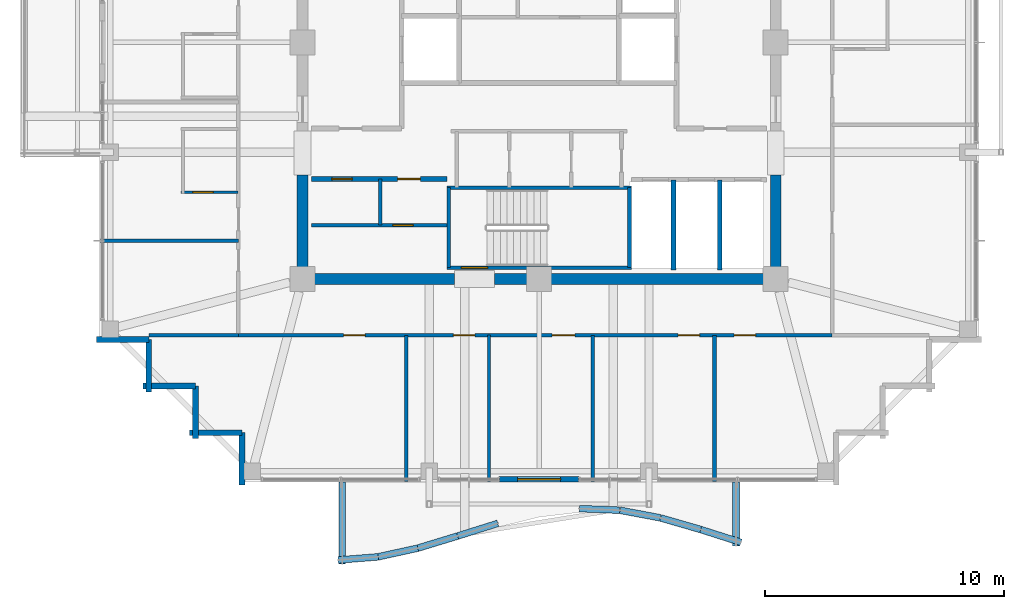
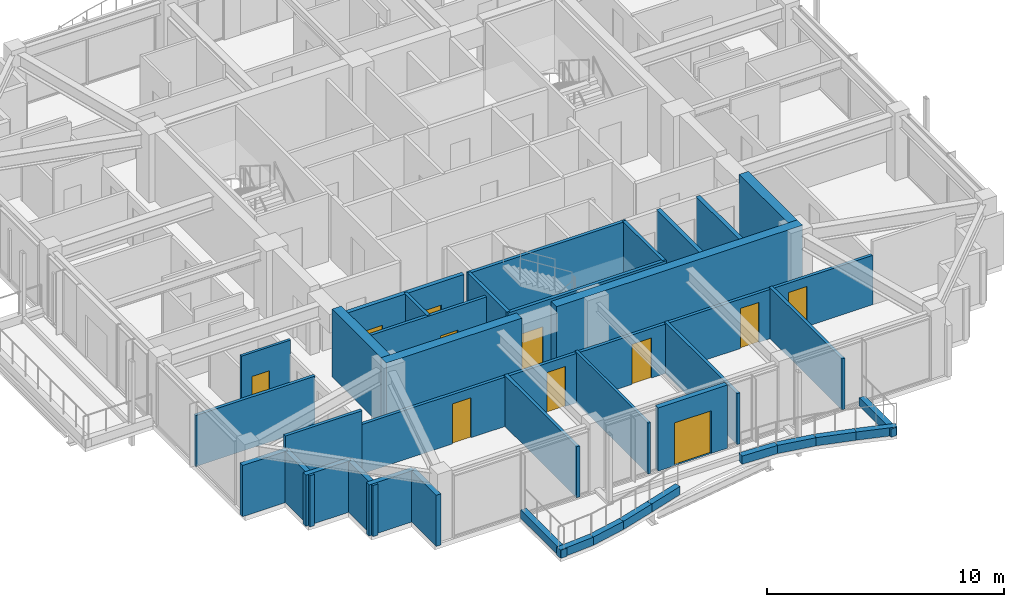
# One storey, part 27 of 34: 38 walls, 11 doors, 11 openings.
"""IFC4 building model written with IfcOpenShell, lengths in metres."""

from ifc_helpers import new_model, si_unit, direction, frame, frame_2d, origin, place, context, subcontext, project, spatial, rectangle, extrude, material, layer, layer_set, type_object, element, fill, save


model = new_model("IFC4")

# Units and contexts
model_context = context("Model", 3, precision=1e-05, world=origin(), true_north=direction((0.0, 1.0)))
body_context = subcontext(model_context, "Body", "Model", "MODEL_VIEW")
ifc_project = project(units=[si_unit("LENGTHUNIT", "METRE"), si_unit("AREAUNIT", "SQUARE_METRE"), si_unit("VOLUMEUNIT", "CUBIC_METRE"), si_unit("PLANEANGLEUNIT", "RADIAN"), si_unit("MASSUNIT", "GRAM", prefix="KILO")], contexts=[model_context])

# Site, building, storey
site_placement = place(None, origin())
site = spatial("IfcSite", under=ifc_project, at=site_placement, CompositionType="ELEMENT")
building_placement = place(site_placement, origin())
building = spatial("IfcBuilding", under=site, at=building_placement, Name="Kolvaren Belvedere", CompositionType="ELEMENT")
storey_placement = place(building_placement, frame((0.0, 0.0, 240.89990234375)))
storey = spatial("IfcBuildingStorey", under=building, at=storey_placement, Name="L70", CompositionType="ELEMENT", Elevation=240.89990234375)

# Walls
ifc_material_1 = material(Name="Concrete C50/60", Category="concrete")
ifc_layer_1 = layer(ifc_material_1, 0.449951171875)
ifc_layer_set_1 = layer_set([ifc_layer_1], Name="Concrete C50/60")
wall_type_1 = type_object("IfcWallType", Name="CW-CORE-450", PredefinedType="SHEAR", material=ifc_layer_set_1)
wall_1_placement = place(storey_placement, frame((10.125, -9.89990234375, 0.0), z_axis=(0.0, 0.0, 1.0), x_axis=(-1.0, 0.0, 0.0)))
element("IfcWall", 1, at=wall_1_placement, inside=storey, type_object=wall_type_1, Name="L70 South Core Shear Wall 1", PredefinedType="SHEAR", context=body_context, shape_type="SweptSolid", body=[
    extrude(rectangle(XDim=11.985107421875, YDim=0.449951171875, at=frame_2d((5.99267578125, 0.0))), origin(), (0.0, 0.0, 1.0), 3.5),
])
wall_2_placement = place(storey_placement, frame((-3.5400390625, -9.89990234375, 0.0), z_axis=(0.0, 0.0, 1.0), x_axis=(-1.0, 0.0, 0.0)))
element("IfcWall", 2, at=wall_2_placement, inside=storey, type_object=wall_type_1, Name="L70 South Core Shear Wall 2", PredefinedType="SHEAR", context=body_context, shape_type="SweptSolid", body=[
    extrude(rectangle(XDim=6.5849609375, YDim=0.449951171875, at=frame_2d((3.29248046875, 0.0))), origin(), (0.0, 0.0, 1.0), 3.5),
])
for number, where, z_axis, x_axis, name in (
    (3, (-9.89990234375, -9.675048828125, 0.0), (0.0, 0.0, 1.0), (0.0, 1.0, 0.0), "L70 West Core Shear Wall 1"),
    (4, (9.89990234375, -9.675048828125, 0.0), (0.0, 0.0, 1.0), (0.0, 1.0, 0.0), "L70 East Core Shear Wall 1"),
):
    element("IfcWall", number, at=place(storey_placement, frame(where, z_axis=z_axis, x_axis=x_axis)), inside=storey, type_object=wall_type_1, Name=name, PredefinedType="SHEAR", context=body_context, shape_type="SweptSolid", body=[
        extrude(rectangle(XDim=4.125, YDim=0.449951171875, at=frame_2d((2.0625, 0.0))), origin(), (0.0, 0.0, 1.0), 3.5),
    ])

# Wall, opening, door
ifc_material_2 = material(Name="Concrete C50/60", Category="concrete")
ifc_layer_2 = layer(ifc_material_2, 0.159912109375)
ifc_layer_set_2 = layer_set([ifc_layer_2], Name="Concrete C50/60")
wall_type_2 = type_object("IfcWallType", Name="CW-STAIR-160", PredefinedType="SHEAR", material=ifc_layer_set_2)
wall_3_placement = place(storey_placement, frame((3.860107421875, -9.429931640625, 0.0), z_axis=(0.0, 0.0, 1.0), x_axis=(-1.0, 0.0, 0.0)))
wall_3 = element("IfcWall", 5, at=wall_3_placement, inside=storey, type_object=wall_type_2, Name="L70 Stair ST-3 South Shear Wall", PredefinedType="SHEAR", context=body_context, shape_type="SweptSolid", body=[
    extrude(rectangle(XDim=7.72021484375, YDim=0.159912109375, at=frame_2d((3.860107421875, 0.0))), origin(), (0.0, 0.0, 1.0), 3.5),
])
opening_1_placement = place(wall_3_placement, frame((6.010009765625, 0.0, 0.0)))
opening_1 = element("IfcOpeningElement", 6, at=opening_1_placement, cuts=wall_3, Name="Opening D-FD90", PredefinedType="OPENING", context=body_context, shape_type="SweptSolid", body=[
    extrude(rectangle(XDim=1.10009765625, YDim=2.199951171875, at=frame_2d((0.550048828125, 1.10009765625))), frame((0.0, 0.08984375, 0.0), z_axis=(0.0, -1.0, 0.0), x_axis=(1.0, 0.0, 0.0)), (0.0, 0.0, 1.0), 0.179931640625),
])
ifc_material_3 = material(Name="Painted hollow stainless steel", Category="steel")
door_type_1 = type_object("IfcDoorType", Name="DR-FD90-1100", OperationType="NOTDEFINED", PredefinedType="DOOR", material=ifc_material_3)
door_1_placement = place(opening_1_placement, origin())
door_1 = element("IfcDoor", 7, at=door_1_placement, inside=storey, type_object=door_type_1, Name="L70 Stair ST-3 Exit Door", OperationType="SINGLE_SWING_RIGHT", OverallHeight=2.199951171875, OverallWidth=1.10009765625, PredefinedType="DOOR", context=body_context, shape_type="SweptSolid", body=[
    extrude(rectangle(XDim=1.10009765625, YDim=2.199951171875, at=frame_2d((0.550048828125, 1.10009765625))), frame((0.0, 0.02490234375, 0.0), z_axis=(0.0, -1.0, 0.0), x_axis=(1.0, 0.0, 0.0)), (0.0, 0.0, 1.0), 0.050048828125),
])
fill(opening_1, door_1)

# Walls
wall_4_placement = place(storey_placement, frame((-3.860107421875, -6.080078125, 0.0), z_axis=(0.0, 0.0, 1.0), x_axis=(1.0, 0.0, 0.0)))
element("IfcWall", 8, at=wall_4_placement, inside=storey, type_object=wall_type_2, Name="L70 Stair ST-3 North Shear Wall", PredefinedType="SHEAR", context=body_context, shape_type="SweptSolid", body=[
    extrude(rectangle(XDim=7.72021484375, YDim=0.159912109375, at=frame_2d((3.860107421875, 0.0))), origin(), (0.0, 0.0, 1.0), 3.5),
])
for number, where, z_axis, x_axis, name in (
    (9, (-3.780029296875, -9.429931640625, 0.0), (0.0, 0.0, 1.0), (0.0, 1.0, 0.0), "L70 Stair ST-3 West Shear Wall"),
    (10, (3.780029296875, -9.429931640625, 0.0), (0.0, 0.0, 1.0), (0.0, 1.0, 0.0), "L70 Stair ST-3 East Shear Wall"),
):
    element("IfcWall", number, at=place(storey_placement, frame(where, z_axis=z_axis, x_axis=x_axis)), inside=storey, type_object=wall_type_2, Name=name, PredefinedType="SHEAR", context=body_context, shape_type="SweptSolid", body=[
        extrude(rectangle(XDim=3.349853515625, YDim=0.159912109375, at=frame_2d((1.6748046875, 0.0))), origin(), (0.0, 0.0, 1.0), 3.5),
    ])

# Wall, openings, doors
ifc_material_4 = material(Name="Gypsum fire-rated partition assembly", Category="gypsum")
ifc_layer_3 = layer(ifc_material_4, 0.14990234375)
ifc_layer_set_3 = layer_set([ifc_layer_3], Name="Gypsum fire-rated partition assembly")
wall_type_3 = type_object("IfcWallType", Name="WL-CORR-150", PredefinedType="PARTITIONING", material=ifc_layer_set_3)
wall_5_placement = place(storey_placement, frame((-12.580078125, -12.260009765625, 0.0), z_axis=(0.0, 0.0, 1.0), x_axis=(1.0, 0.0, 0.0)))
wall_5 = element("IfcWall", 11, at=wall_5_placement, inside=storey, type_object=wall_type_3, Name="L70 South Corridor Wall", PredefinedType="PARTITIONING", context=body_context, shape_type="SweptSolid", body=[
    extrude(rectangle(XDim=24.840087890625, YDim=0.14990234375, at=frame_2d((12.419921875, 0.0))), origin(), (0.0, 0.0, 1.0), 2.5390625),
])
opening_2_placement = place(wall_5_placement, frame((4.398193359375, 0.0, 0.0)))
opening_2 = element("IfcOpeningElement", 12, at=opening_2_placement, cuts=wall_5, Name="Opening D-INT90", PredefinedType="OPENING", context=body_context, shape_type="SweptSolid", body=[
    extrude(rectangle(XDim=0.89990234375, YDim=2.06005859375, at=frame_2d((0.449951171875, 1.030029296875))), frame((0.0, 0.0849609375, 0.0), z_axis=(0.0, -1.0, 0.0), x_axis=(1.0, 0.0, 0.0)), (0.0, 0.0, 1.0), 0.169921875),
])
opening_3_placement = place(wall_5_placement, frame((8.989501953125, 0.0, 0.0)))
opening_3 = element("IfcOpeningElement", 13, at=opening_3_placement, cuts=wall_5, Name="Opening D-INT90", PredefinedType="OPENING", context=body_context, shape_type="SweptSolid", body=[
    extrude(rectangle(XDim=0.89990234375, YDim=2.06005859375, at=frame_2d((0.449951171875, 1.030029296875))), frame((0.0, 0.0849609375, 0.0), z_axis=(0.0, -1.0, 0.0), x_axis=(1.0, 0.0, 0.0)), (0.0, 0.0, 1.0), 0.169921875),
])
opening_4_placement = place(wall_5_placement, frame((13.12939453125, 0.0, 0.0)))
opening_4 = element("IfcOpeningElement", 14, at=opening_4_placement, cuts=wall_5, Name="Opening D-INT95", PredefinedType="OPENING", context=body_context, shape_type="SweptSolid", body=[
    extrude(rectangle(XDim=0.949951171875, YDim=2.06005859375, at=frame_2d((0.47509765625, 1.030029296875))), frame((0.0, 0.0849609375, 0.0), z_axis=(0.0, -1.0, 0.0), x_axis=(1.0, 0.0, 0.0)), (0.0, 0.0, 1.0), 0.169921875),
])
opening_5_placement = place(wall_5_placement, frame((18.40185546875, 0.0, 0.0)))
opening_5 = element("IfcOpeningElement", 15, at=opening_5_placement, cuts=wall_5, Name="Opening D-INT90", PredefinedType="OPENING", context=body_context, shape_type="SweptSolid", body=[
    extrude(rectangle(XDim=0.89990234375, YDim=2.06005859375, at=frame_2d((0.449951171875, 1.030029296875))), frame((0.0, 0.0849609375, 0.0), z_axis=(0.0, -1.0, 0.0), x_axis=(1.0, 0.0, 0.0)), (0.0, 0.0, 1.0), 0.169921875),
])
opening_6_placement = place(wall_5_placement, frame((20.73681640625, 0.0, 0.0)))
opening_6 = element("IfcOpeningElement", 16, at=opening_6_placement, cuts=wall_5, Name="Opening D-INT90", PredefinedType="OPENING", context=body_context, shape_type="SweptSolid", body=[
    extrude(rectangle(XDim=0.89990234375, YDim=2.06005859375, at=frame_2d((0.449951171875, 1.030029296875))), frame((0.0, 0.0849609375, 0.0), z_axis=(0.0, -1.0, 0.0), x_axis=(1.0, 0.0, 0.0)), (0.0, 0.0, 1.0), 0.169921875),
])
ifc_material_5 = material(Name="Stained Pacific white oak", Category="timber")
door_type_2 = type_object("IfcDoorType", Name="DR-INT-900", OperationType="NOTDEFINED", PredefinedType="DOOR", material=ifc_material_5)
door_2_placement = place(opening_2_placement, origin())
door_2 = element("IfcDoor", 17, at=door_2_placement, inside=storey, type_object=door_type_2, Name="L70 Guest Tea & Espresso Kitchen 7001 Door", OperationType="SINGLE_SWING_RIGHT", OverallHeight=2.06005859375, OverallWidth=0.89990234375, PredefinedType="DOOR", context=body_context, shape_type="SweptSolid", body=[
    extrude(rectangle(XDim=0.89990234375, YDim=2.06005859375, at=frame_2d((0.449951171875, 1.030029296875))), frame((0.0, 0.02490234375, 0.0), z_axis=(0.0, -1.0, 0.0), x_axis=(1.0, 0.0, 0.0)), (0.0, 0.0, 1.0), 0.050048828125),
])
fill(opening_2, door_2)
door_3_placement = place(opening_3_placement, origin())
door_3 = element("IfcDoor", 18, at=door_3_placement, inside=storey, type_object=door_type_2, Name="L70 Housekeeping Door", OperationType="SINGLE_SWING_LEFT", OverallHeight=2.06005859375, OverallWidth=0.89990234375, PredefinedType="DOOR", context=body_context, shape_type="SweptSolid", body=[
    extrude(rectangle(XDim=0.89990234375, YDim=2.06005859375, at=frame_2d((0.449951171875, 1.030029296875))), frame((0.0, 0.02490234375, 0.0), z_axis=(0.0, -1.0, 0.0), x_axis=(1.0, 0.0, 0.0)), (0.0, 0.0, 1.0), 0.050048828125),
])
fill(opening_3, door_3)
door_4_placement = place(opening_5_placement, origin())
door_4 = element("IfcDoor", 19, at=door_4_placement, inside=storey, type_object=door_type_2, Name="L70 Wellness Yoga & Reading Gym 7002 Door", OperationType="SINGLE_SWING_LEFT", OverallHeight=2.06005859375, OverallWidth=0.89990234375, PredefinedType="DOOR", context=body_context, shape_type="SweptSolid", body=[
    extrude(rectangle(XDim=0.89990234375, YDim=2.06005859375, at=frame_2d((0.449951171875, 1.030029296875))), frame((0.0, 0.02490234375, 0.0), z_axis=(0.0, -1.0, 0.0), x_axis=(1.0, 0.0, 0.0)), (0.0, 0.0, 1.0), 0.050048828125),
])
fill(opening_5, door_4)
door_5_placement = place(opening_6_placement, origin())
door_5 = element("IfcDoor", 20, at=door_5_placement, inside=storey, type_object=door_type_2, Name="L70 Private Hospitality Meeting Room 7003 Door", OperationType="SINGLE_SWING_RIGHT", OverallHeight=2.06005859375, OverallWidth=0.89990234375, PredefinedType="DOOR", context=body_context, shape_type="SweptSolid", body=[
    extrude(rectangle(XDim=0.89990234375, YDim=2.06005859375, at=frame_2d((0.449951171875, 1.030029296875))), frame((0.0, 0.02490234375, 0.0), z_axis=(0.0, -1.0, 0.0), x_axis=(1.0, 0.0, 0.0)), (0.0, 0.0, 1.0), 0.050048828125),
])
fill(opening_6, door_5)
ifc_material_6 = material(Name="Stained Pacific white oak", Category="timber")
door_type_3 = type_object("IfcDoorType", Name="DR-INT-950", OperationType="NOTDEFINED", PredefinedType="DOOR", material=ifc_material_6)
door_6_placement = place(opening_4_placement, origin())
door_6 = element("IfcDoor", 21, at=door_6_placement, inside=storey, type_object=door_type_3, Name="L70 Accessible Washroom Door", OperationType="SINGLE_SWING_RIGHT", OverallHeight=2.06005859375, OverallWidth=0.949951171875, PredefinedType="DOOR", context=body_context, shape_type="SweptSolid", body=[
    extrude(rectangle(XDim=0.949951171875, YDim=2.06005859375, at=frame_2d((0.47509765625, 1.030029296875))), frame((0.0, 0.02490234375, 0.0), z_axis=(0.0, -1.0, 0.0), x_axis=(1.0, 0.0, 0.0)), (0.0, 0.0, 1.0), 0.050048828125),
])
fill(opening_4, door_6)

# Wall, opening, door
ifc_material_7 = material(Name="Insulated pale-metal facade wall assembly", Category="aluminium")
ifc_layer_4 = layer(ifc_material_7, 0.239990234375)
ifc_layer_set_4 = layer_set([ifc_layer_4], Name="Insulated pale-metal facade wall assembly")
wall_type_4 = type_object("IfcWallType", Name="WL-EXT-240", PredefinedType="STANDARD", material=ifc_layer_set_4)
wall_6_placement = place(storey_placement, frame((1.679931640625, -18.280029296875, 0.0), z_axis=(0.0, 0.0, 1.0), x_axis=(-1.0, 0.0, 0.0)))
wall_6 = element("IfcWall", 22, at=wall_6_placement, inside=storey, type_object=wall_type_4, Name="L70 South Terrace Portal Wall", PredefinedType="STANDARD", context=body_context, shape_type="SweptSolid", body=[
    extrude(rectangle(XDim=3.35986328125, YDim=0.239990234375, at=frame_2d((1.679931640625, 0.0))), origin(), (0.0, 0.0, 1.0), 3.25),
])
opening_7_placement = place(wall_6_placement, frame((0.780029296875, 0.0, 0.0)))
opening_7 = element("IfcOpeningElement", 23, at=opening_7_placement, cuts=wall_6, Name="Opening DB-1800", PredefinedType="OPENING", context=body_context, shape_type="SweptSolid", body=[
    extrude(rectangle(XDim=1.800048828125, YDim=2.199951171875, at=frame_2d((0.89990234375, 1.10009765625))), frame((0.0, 0.1298828125, 0.0), z_axis=(0.0, -1.0, 0.0), x_axis=(1.0, 0.0, 0.0)), (0.0, 0.0, 1.0), 0.260009765625),
])
ifc_material_8 = material(Name="Thermally broken pale-metal aluminium & low-iron glass", Category="aluminium")
door_type_4 = type_object("IfcDoorType", Name="DR-BAL-1800", OperationType="DOUBLE_DOOR_SLIDING", PredefinedType="DOOR", material=ifc_material_8)
door_7_placement = place(opening_7_placement, origin())
door_7 = element("IfcDoor", 24, at=door_7_placement, inside=storey, type_object=door_type_4, Name="L70 South Planted Terrace Sliding Door", OperationType="DOUBLE_DOOR_SLIDING", OverallHeight=2.199951171875, OverallWidth=1.800048828125, PredefinedType="DOOR", context=body_context, shape_type="SweptSolid", body=[
    extrude(rectangle(XDim=1.800048828125, YDim=2.199951171875, at=frame_2d((0.89990234375, 1.10009765625))), frame((0.0, 0.02490234375, 0.0), z_axis=(0.0, -1.0, 0.0), x_axis=(1.0, 0.0, 0.0)), (0.0, 0.0, 1.0), 0.050048828125),
])
fill(opening_7, door_7)

# Walls
wall_7_placement = place(storey_placement, frame((-16.330078125, -12.429931640625, 0.0), z_axis=(0.0, 0.0, 1.0), x_axis=(-1.0, 0.0, 0.0)))
element("IfcWall", 25, at=wall_7_placement, inside=storey, type_object=wall_type_4, Name="L70 Serrated Corner Facade Wall 23", PredefinedType="STANDARD", context=body_context, shape_type="SweptSolid", body=[
    extrude(rectangle(XDim=2.18994140625, YDim=0.239990234375, at=frame_2d((1.094970703125, 0.0))), origin(), (0.0, 0.0, 1.0), 2.633056640625),
])
for number, where, z_axis, x_axis, name in (
    (26, (-16.330078125, -14.6201171875, 0.0), (0.0, 0.0, 1.0), (0.0, 1.0, 0.0), "L70 Serrated Corner Facade Wall 24"),
    (27, (-14.3798828125, -14.3798828125, 0.0), (0.0, 0.0, 1.0), (-1.0, 0.0, 0.0), "L70 Serrated Corner Facade Wall 25"),
    (28, (-14.3798828125, -16.570068359375, 0.0), (0.0, 0.0, 1.0), (0.0, 1.0, 0.0), "L70 Serrated Corner Facade Wall 26"),
    (29, (-12.429931640625, -16.330078125, 0.0), (0.0, 0.0, 1.0), (-1.0, 0.0, 0.0), "L70 Serrated Corner Facade Wall 27"),
):
    element("IfcWall", number, at=place(storey_placement, frame(where, z_axis=z_axis, x_axis=x_axis)), inside=storey, type_object=wall_type_4, Name=name, PredefinedType="STANDARD", context=body_context, shape_type="SweptSolid", body=[
        extrude(rectangle(XDim=2.190185546875, YDim=0.239990234375, at=frame_2d((1.09521484375, 0.0))), origin(), (0.0, 0.0, 1.0), 2.633056640625),
    ])
wall_8_placement = place(storey_placement, frame((-12.429931640625, -18.52001953125, 0.0), z_axis=(0.0, 0.0, 1.0), x_axis=(0.0, 1.0, 0.0)))
element("IfcWall", 30, at=wall_8_placement, inside=storey, type_object=wall_type_4, Name="L70 Serrated Corner Facade Wall 28", PredefinedType="STANDARD", context=body_context, shape_type="SweptSolid", body=[
    extrude(rectangle(XDim=2.18994140625, YDim=0.239990234375, at=frame_2d((1.094970703125, 0.0))), origin(), (0.0, 0.0, 1.0), 2.633056640625),
])

# Wall, opening, door
ifc_material_9 = material(Name="Gypsum acoustic partition assembly", Category="gypsum")
ifc_layer_5 = layer(ifc_material_9, 0.14990234375)
ifc_layer_set_5 = layer_set([ifc_layer_5], Name="Gypsum acoustic partition assembly")
wall_type_5 = type_object("IfcWallType", Name="WL-PART-150", PredefinedType="PARTITIONING", material=ifc_layer_set_5)
wall_9_placement = place(storey_placement, frame((-9.52001953125, -7.64990234375, 0.0), z_axis=(0.0, 0.0, 1.0), x_axis=(1.0, 0.0, 0.0)))
wall_9 = element("IfcWall", 31, at=wall_9_placement, inside=storey, type_object=wall_type_5, Name="L70 Reclaimed Mid H-Divider", PredefinedType="PARTITIONING", context=body_context, shape_type="SweptSolid", body=[
    extrude(rectangle(XDim=5.659912109375, YDim=0.14990234375, at=frame_2d((2.830078125, 0.0))), origin(), (0.0, 0.0, 1.0), 3.25),
])
opening_8_placement = place(wall_9_placement, frame((3.39990234375, 0.0, 0.0)))
opening_8 = element("IfcOpeningElement", 32, at=opening_8_placement, cuts=wall_9, Name="Opening D-INT85", PredefinedType="OPENING", context=body_context, shape_type="SweptSolid", body=[
    extrude(rectangle(XDim=0.85009765625, YDim=2.030029296875, at=frame_2d((0.425048828125, 1.01513671875))), frame((0.0, 0.0849609375, 0.0), z_axis=(0.0, -1.0, 0.0), x_axis=(1.0, 0.0, 0.0)), (0.0, 0.0, 1.0), 0.169921875),
])
ifc_material_10 = material(Name="Stained Pacific white oak", Category="timber")
door_type_5 = type_object("IfcDoorType", Name="DR-INT-850", OperationType="NOTDEFINED", PredefinedType="DOOR", material=ifc_material_10)
door_8_placement = place(opening_8_placement, origin())
door_8 = element("IfcDoor", 33, at=door_8_placement, inside=storey, type_object=door_type_5, Name="L70 Tea Pantry Door", OperationType="SINGLE_SWING_LEFT", OverallHeight=2.030029296875, OverallWidth=0.85009765625, PredefinedType="DOOR", context=body_context, shape_type="SweptSolid", body=[
    extrude(rectangle(XDim=0.85009765625, YDim=2.030029296875, at=frame_2d((0.425048828125, 1.01513671875))), frame((0.0, 0.02490234375, 0.0), z_axis=(0.0, -1.0, 0.0), x_axis=(1.0, 0.0, 0.0)), (0.0, 0.0, 1.0), 0.050048828125),
])
fill(opening_8, door_8)

# Walls
wall_10_placement = place(storey_placement, frame((-6.64990234375, -7.64990234375, 0.0), z_axis=(0.0, 0.0, 1.0), x_axis=(0.0, 1.0, 0.0)))
element("IfcWall", 34, at=wall_10_placement, inside=storey, type_object=wall_type_5, Name="L70 Reclaimed Mid V-Divider", PredefinedType="PARTITIONING", context=body_context, shape_type="SweptSolid", body=[
    extrude(rectangle(XDim=1.929931640625, YDim=0.14990234375, at=frame_2d((0.96484375, 0.0))), origin(), (0.0, 0.0, 1.0), 3.25),
])
wall_11_placement = place(storey_placement, frame((-16.320068359375, -12.260009765625, 0.0), z_axis=(0.0, 0.0, 1.0), x_axis=(1.0, 0.0, 0.0)))
element("IfcWall", 35, at=wall_11_placement, inside=storey, type_object=wall_type_5, Name="L70 Wing Divider PW-L70-QSW", PredefinedType="PARTITIONING", context=body_context, shape_type="SweptSolid", body=[
    extrude(rectangle(XDim=3.739990234375, YDim=0.14990234375, at=frame_2d((1.8701171875, 0.0))), origin(), (0.0, 0.0, 1.0), 3.25),
])
for number, where, z_axis, x_axis, name in (
    (36, (-5.56005859375, -18.3798828125, 0.0), (0.0, 0.0, 1.0), (0.0, 1.0, 0.0), "L70 South Suite Demising Wall 1"),
    (37, (2.239990234375, -18.3798828125, 0.0), (0.0, 0.0, 1.0), (0.0, 1.0, 0.0), "L70 South Suite Demising Wall 2"),
    (38, (7.340087890625, -18.3798828125, 0.0), (0.0, 0.0, 1.0), (0.0, 1.0, 0.0), "L70 South Suite Demising Wall 3"),
):
    element("IfcWall", number, at=place(storey_placement, frame(where, z_axis=z_axis, x_axis=x_axis)), inside=storey, type_object=wall_type_5, Name=name, PredefinedType="PARTITIONING", context=body_context, shape_type="SweptSolid", body=[
        extrude(rectangle(XDim=6.119873046875, YDim=0.14990234375, at=frame_2d((3.06005859375, 0.0))), origin(), (0.0, 0.0, 1.0), 2.623046875),
    ])
wall_12_placement = place(storey_placement, frame((-18.3798828125, -8.2958984375, 0.0), z_axis=(0.0, 0.0, 1.0), x_axis=(1.0, 0.0, 0.0)))
element("IfcWall", 39, at=wall_12_placement, inside=storey, type_object=wall_type_5, Name="L70 West Suite Demising Wall 1", PredefinedType="PARTITIONING", context=body_context, shape_type="SweptSolid", body=[
    extrude(rectangle(XDim=5.7998046875, YDim=0.14990234375, at=frame_2d((2.89990234375, 0.0))), origin(), (0.0, 0.0, 1.0), 2.623046875),
])
ifc_material_11 = material(Name="Precast concrete C40/50", Category="concrete")
ifc_layer_6 = layer(ifc_material_11, 0.300048828125)
ifc_layer_set_6 = layer_set([ifc_layer_6], Name="Precast concrete C40/50")
wall_type_6 = type_object("IfcWallType", Name="WL-PLANTER-300", PredefinedType="PARAPET", material=ifc_layer_set_6)
wall_13_placement = place(storey_placement, frame((-8.41259765625, -21.660400390625, -0.06982421875), z_axis=(0.0, 0.0, 1.0), x_axis=(0.99685522818, 0.079244268248, 0.0)))
element("IfcWall", 40, at=wall_13_placement, inside=storey, type_object=wall_type_6, Name="L70 Precast Structural Planter Wall BAL-S-1", PredefinedType="PARAPET", context=body_context, shape_type="SweptSolid", body=[
    extrude(rectangle(XDim=1.685302734375, YDim=0.280029296875, at=frame_2d((0.8427734375, 0.0))), origin(), (0.0, 0.0, 1.0), 0.419921875),
])
wall_14_placement = place(storey_placement, frame((-6.754150390625, -21.530029296875, -0.06982421875), z_axis=(0.0, 0.0, 1.0), x_axis=(0.976876857632, 0.213802724545, 0.0)))
element("IfcWall", 41, at=wall_14_placement, inside=storey, type_object=wall_type_6, Name="L70 Precast Structural Planter Wall BAL-S-2", PredefinedType="PARAPET", context=body_context, shape_type="SweptSolid", body=[
    extrude(rectangle(XDim=1.7197265625, YDim=0.280029296875, at=frame_2d((0.85986328125, 0.0))), origin(), (0.0, 0.0, 1.0), 0.419921875),
])
wall_15_placement = place(storey_placement, frame((-5.086669921875, -21.16552734375, -0.06982421875), z_axis=(0.0, 0.0, 1.0), x_axis=(0.956771481005, 0.290840734999, 0.0)))
element("IfcWall", 42, at=wall_15_placement, inside=storey, type_object=wall_type_6, Name="L70 Precast Structural Planter Wall BAL-S-3", PredefinedType="PARAPET", context=body_context, shape_type="SweptSolid", body=[
    extrude(rectangle(XDim=1.756103515625, YDim=0.280029296875, at=frame_2d((0.8779296875, 0.0))), origin(), (0.0, 0.0, 1.0), 0.419921875),
])
wall_16_placement = place(storey_placement, frame((-3.407958984375, -20.6552734375, -0.06982421875), z_axis=(0.0, 0.0, 1.0), x_axis=(0.954069594374, 0.299585061529, 0.0)))
element("IfcWall", 43, at=wall_16_placement, inside=storey, type_object=wall_type_6, Name="L70 Precast Structural Planter Wall BAL-S-4", PredefinedType="PARAPET", context=body_context, shape_type="SweptSolid", body=[
    extrude(rectangle(XDim=1.760986328125, YDim=0.280029296875, at=frame_2d((0.88037109375, 0.0))), origin(), (0.0, 0.0, 1.0), 0.419921875),
])
wall_17_placement = place(storey_placement, frame((1.686279296875, -19.508544921875, -0.06982421875), z_axis=(0.0, 0.0, 1.0), x_axis=(0.999196778482, -0.040072407855, 0.0)))
element("IfcWall", 44, at=wall_17_placement, inside=storey, type_object=wall_type_6, Name="L70 Precast Structural Planter Wall BAL-S-7", PredefinedType="PARAPET", context=body_context, shape_type="SweptSolid", body=[
    extrude(rectangle(XDim=1.681640625, YDim=0.280029296875, at=frame_2d((0.8408203125, 0.0))), origin(), (0.0, 0.0, 1.0), 0.419921875),
])
wall_18_placement = place(storey_placement, frame((3.3896484375, -19.57861328125, -0.06982421875), z_axis=(0.0, 0.0, 1.0), x_axis=(0.982799348901, -0.18467658162, 0.0)))
element("IfcWall", 45, at=wall_18_placement, inside=storey, type_object=wall_type_6, Name="L70 Precast Structural Planter Wall BAL-S-8", PredefinedType="PARAPET", context=body_context, shape_type="SweptSolid", body=[
    extrude(rectangle(XDim=1.709228515625, YDim=0.280029296875, at=frame_2d((0.8544921875, 0.0))), origin(), (0.0, 0.0, 1.0), 0.419921875),
])
wall_19_placement = place(storey_placement, frame((5.08447265625, -19.89794921875, -0.06982421875), z_axis=(0.0, 0.0, 1.0), x_axis=(0.960633903819, -0.277817391164, 0.0)))
element("IfcWall", 46, at=wall_19_placement, inside=storey, type_object=wall_type_6, Name="L70 Precast Structural Planter Wall BAL-S-9", PredefinedType="PARAPET", context=body_context, shape_type="SweptSolid", body=[
    extrude(rectangle(XDim=1.748779296875, YDim=0.280029296875, at=frame_2d((0.87451171875, 0.0))), origin(), (0.0, 0.0, 1.0), 0.419921875),
])
wall_20_placement = place(storey_placement, frame((6.7685546875, -20.38525390625, -0.06982421875), z_axis=(0.0, 0.0, 1.0), x_axis=(0.952661770826, -0.304032153573, 0.0)))
element("IfcWall", 47, at=wall_20_placement, inside=storey, type_object=wall_type_6, Name="L70 Precast Structural Planter Wall BAL-S-10", PredefinedType="PARAPET", context=body_context, shape_type="SweptSolid", body=[
    extrude(rectangle(XDim=1.763427734375, YDim=0.280029296875, at=frame_2d((0.8818359375, 0.0))), origin(), (0.0, 0.0, 1.0), 0.419921875),
])
wall_21_placement = place(storey_placement, frame((8.239990234375, -21.07373046875, -0.06982421875), z_axis=(0.0, 0.0, 1.0), x_axis=(0.0, 1.0, 0.0)))
element("IfcWall", 48, at=wall_21_placement, inside=storey, type_object=wall_type_6, Name="L70 Precast Structural Planter Wall BAL-S-11", PredefinedType="PARAPET", context=body_context, shape_type="SweptSolid", body=[
    extrude(rectangle(XDim=2.673828125, YDim=0.280029296875, at=frame_2d((1.3369140625, 0.0))), origin(), (0.0, 0.0, 1.0), 0.419921875),
])
wall_22_placement = place(storey_placement, frame((-8.239990234375, -18.39990234375, -0.06982421875), z_axis=(0.0, 0.0, 1.0), x_axis=(0.0, -1.0, 0.0)))
element("IfcWall", 49, at=wall_22_placement, inside=storey, type_object=wall_type_6, Name="L70 Precast Structural Planter Wall BAL-S-22", PredefinedType="PARAPET", context=body_context, shape_type="SweptSolid", body=[
    extrude(rectangle(XDim=3.420166015625, YDim=0.280029296875, at=frame_2d((1.7099609375, 0.0))), origin(), (0.0, 0.0, 1.0), 0.419921875),
])

# Wall, openings, doors
ifc_material_12 = material(Name="Concrete C50/60", Category="concrete")
ifc_layer_7 = layer(ifc_material_12, 0.199951171875)
ifc_layer_set_7 = layer_set([ifc_layer_7], Name="Concrete C50/60")
wall_type_7 = type_object("IfcWallType", Name="WL-SHAFT-200", PredefinedType="SOLIDWALL", material=ifc_layer_set_7)
wall_23_placement = place(storey_placement, frame((-9.52001953125, -5.719970703125, 0.0), z_axis=(0.0, 0.0, 1.0), x_axis=(1.0, 0.0, 0.0)))
wall_23 = element("IfcWall", 50, at=wall_23_placement, inside=storey, type_object=wall_type_7, Name="L70 Reclaimed Mid Room North Wall", PredefinedType="SOLIDWALL", context=body_context, shape_type="SweptSolid", body=[
    extrude(rectangle(XDim=5.659912109375, YDim=0.199951171875, at=frame_2d((2.830078125, 0.0))), origin(), (0.0, 0.0, 1.0), 3.25),
])
opening_9_placement = place(wall_23_placement, frame((3.60009765625, 0.0, 0.0)))
opening_9 = element("IfcOpeningElement", 51, at=opening_9_placement, cuts=wall_23, Name="Opening D-FD60", PredefinedType="OPENING", context=body_context, shape_type="SweptSolid", body=[
    extrude(rectangle(XDim=0.949951171875, YDim=2.06005859375, at=frame_2d((0.47509765625, 1.030029296875))), frame((0.0, 0.10986328125, 0.0), z_axis=(0.0, -1.0, 0.0), x_axis=(1.0, 0.0, 0.0)), (0.0, 0.0, 1.0), 0.219970703125),
])
opening_10_placement = place(wall_23_placement, frame((0.85009765625, 0.0, 0.0)))
opening_10 = element("IfcOpeningElement", 52, at=opening_10_placement, cuts=wall_23, Name="Opening D-INT85", PredefinedType="OPENING", context=body_context, shape_type="SweptSolid", body=[
    extrude(rectangle(XDim=0.85009765625, YDim=2.030029296875, at=frame_2d((0.425048828125, 1.01513671875))), frame((0.0, 0.10986328125, 0.0), z_axis=(0.0, -1.0, 0.0), x_axis=(1.0, 0.0, 0.0)), (0.0, 0.0, 1.0), 0.219970703125),
])
ifc_material_13 = material(Name="Acoustic white-oak fire door leaf", Category="timber")
door_type_6 = type_object("IfcDoorType", Name="DR-FD60-950", OperationType="NOTDEFINED", PredefinedType="DOOR", material=ifc_material_13)
door_9_placement = place(opening_9_placement, origin())
door_9 = element("IfcDoor", 53, at=door_9_placement, inside=storey, type_object=door_type_6, Name="L70 Wellness Salon Door", OperationType="SINGLE_SWING_LEFT", OverallHeight=2.06005859375, OverallWidth=0.949951171875, PredefinedType="DOOR", context=body_context, shape_type="SweptSolid", body=[
    extrude(rectangle(XDim=0.949951171875, YDim=2.06005859375, at=frame_2d((0.47509765625, 1.030029296875))), frame((0.0, 0.02490234375, 0.0), z_axis=(0.0, -1.0, 0.0), x_axis=(1.0, 0.0, 0.0)), (0.0, 0.0, 1.0), 0.050048828125),
])
fill(opening_9, door_9)
door_10_placement = place(opening_10_placement, origin())
door_10 = element("IfcDoor", 54, at=door_10_placement, inside=storey, type_object=door_type_5, Name="L70 Linen Closet Door", OperationType="SINGLE_SWING_RIGHT", OverallHeight=2.030029296875, OverallWidth=0.85009765625, PredefinedType="DOOR", context=body_context, shape_type="SweptSolid", body=[
    extrude(rectangle(XDim=0.85009765625, YDim=2.030029296875, at=frame_2d((0.425048828125, 1.01513671875))), frame((0.0, 0.02490234375, 0.0), z_axis=(0.0, -1.0, 0.0), x_axis=(1.0, 0.0, 0.0)), (0.0, 0.0, 1.0), 0.050048828125),
])
fill(opening_10, door_10)

# Walls
for number, where, z_axis, x_axis, name in (
    (55, (5.6298828125, -9.52001953125, 0.0), (0.0, 0.0, 1.0), (0.0, 1.0, 0.0), "L70 High-Rise Hoistway Divider 1"),
    (56, (7.56005859375, -9.52001953125, 0.0), (0.0, 0.0, 1.0), (0.0, 1.0, 0.0), "L70 High-Rise Hoistway Divider 2"),
):
    element("IfcWall", number, at=place(storey_placement, frame(where, z_axis=z_axis, x_axis=x_axis)), inside=storey, type_object=wall_type_7, Name=name, PredefinedType="SOLIDWALL", context=body_context, shape_type="SweptSolid", body=[
        extrude(rectangle(XDim=3.77001953125, YDim=0.199951171875, at=frame_2d((1.885009765625, 0.0))), origin(), (0.0, 0.0, 1.0), 3.25),
    ])
ifc_material_14 = material(Name="Moisture-resistant gypsum partition", Category="gypsum")
ifc_layer_8 = layer(ifc_material_14, 0.125)
ifc_layer_set_8 = layer_set([ifc_layer_8], Name="Moisture-resistant gypsum partition")
wall_type_8 = type_object("IfcWallType", Name="WL-WET-125", PredefinedType="PARTITIONING", material=ifc_layer_set_8)
wall_24_placement = place(storey_placement, frame((-2.10107421875, -18.3798828125, 0.0), z_axis=(0.0, 0.0, 1.0), x_axis=(0.0, 1.0, 0.0)))
element("IfcWall", 57, at=wall_24_placement, inside=storey, type_object=wall_type_8, Name="L70 Housekeeping Washroom Divider", PredefinedType="PARTITIONING", context=body_context, shape_type="SweptSolid", body=[
    extrude(rectangle(XDim=6.144775390625, YDim=0.125, at=frame_2d((3.072265625, 0.0))), origin(), (0.0, 0.0, 1.0), 2.623046875),
])

# Wall, opening, door
wall_25_placement = place(storey_placement, frame((-14.985107421875, -6.27099609375, 0.0), z_axis=(0.0, 0.0, 1.0), x_axis=(1.0, 0.0, 0.0)))
wall_25 = element("IfcWall", 58, at=wall_25_placement, inside=storey, type_object=wall_type_8, Name="L70 Bathroom Partition PW-L70-BTH-9-N", PredefinedType="PARTITIONING", context=body_context, shape_type="SweptSolid", body=[
    extrude(rectangle(XDim=2.39013671875, YDim=0.125, at=frame_2d((1.195068359375, 0.0))), origin(), (0.0, 0.0, 1.0), 3.25),
])
opening_11_placement = place(wall_25_placement, frame((0.5, 0.0, 0.0)))
opening_11 = element("IfcOpeningElement", 59, at=opening_11_placement, cuts=wall_25, Name="Opening D-BTH85", PredefinedType="OPENING", context=body_context, shape_type="SweptSolid", body=[
    extrude(rectangle(XDim=0.85009765625, YDim=2.030029296875, at=frame_2d((0.425048828125, 1.01513671875))), frame((0.0, 0.072509765625, 0.0), z_axis=(0.0, -1.0, 0.0), x_axis=(1.0, 0.0, 0.0)), (0.0, 0.0, 1.0), 0.14501953125),
])
ifc_material_15 = material(Name="Moisture-sealed Pacific white oak", Category="timber")
door_type_7 = type_object("IfcDoorType", Name="DR-BATH-850", OperationType="NOTDEFINED", PredefinedType="DOOR", material=ifc_material_15)
door_11_placement = place(opening_11_placement, origin())
door_11 = element("IfcDoor", 60, at=door_11_placement, inside=storey, type_object=door_type_7, Name="L70 En-Suite Bathroom 7009 Door", OperationType="SINGLE_SWING_RIGHT", OverallHeight=2.030029296875, OverallWidth=0.85009765625, PredefinedType="DOOR", context=body_context, shape_type="SweptSolid", body=[
    extrude(rectangle(XDim=0.85009765625, YDim=2.030029296875, at=frame_2d((0.425048828125, 1.01513671875))), frame((0.0, 0.02490234375, 0.0), z_axis=(0.0, -1.0, 0.0), x_axis=(1.0, 0.0, 0.0)), (0.0, 0.0, 1.0), 0.050048828125),
])
fill(opening_11, door_11)

save(model, "model.ifc")
